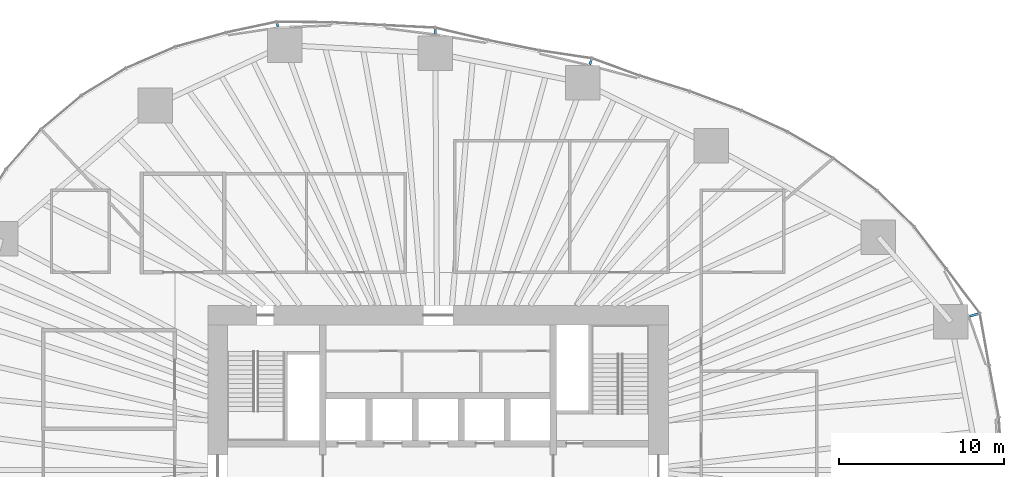
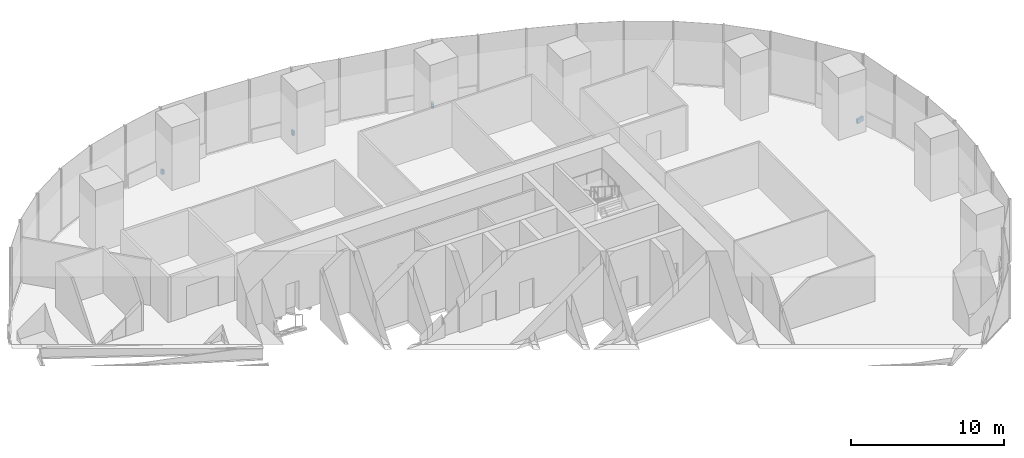
# One storey, part 15 of 20: 4 discrete accessories.
"""IFC4 building model written with IfcOpenShell, lengths in metres."""

from ifc_helpers import new_model, si_unit, direction, frame, origin, origin_2d, place, context, subcontext, project, spatial, rectangle, extrude, material, type_object, element, save


model = new_model("IFC4")

# Units and contexts
model_context = context("Model", 3, precision=1e-05, world=origin(), true_north=direction((0.0, 1.0)))
body_context = subcontext(model_context, "Body", "Model", "MODEL_VIEW")
ifc_project = project(units=[si_unit("LENGTHUNIT", "METRE"), si_unit("AREAUNIT", "SQUARE_METRE"), si_unit("VOLUMEUNIT", "CUBIC_METRE"), si_unit("PLANEANGLEUNIT", "RADIAN"), si_unit("MASSUNIT", "GRAM", prefix="KILO")], contexts=[model_context])

# Site, building, storey
site_placement = place(None, origin())
site = spatial("IfcSite", under=ifc_project, at=site_placement, CompositionType="ELEMENT")
building_placement = place(site_placement, origin())
building = spatial("IfcBuilding", under=site, at=building_placement, Name="Ghaith Harvest Tower", CompositionType="ELEMENT")
storey_placement = place(building_placement, frame((0.0, 0.0, 40.0)))
storey = spatial("IfcBuildingStorey", under=building, at=storey_placement, Name="L08", CompositionType="ELEMENT", Elevation=40.0)

# Discrete accessories
ifc_material_1 = material(Name="Stainless steel grade 1.4401", Category="steel")
discrete_accessory_type_1 = type_object("IfcDiscreteAccessoryType", Name="CURTAIN WALL BRACKET 205", PredefinedType="BRACKET", material=ifc_material_1)
discrete_accessory_1_placement = place(storey_placement, frame((-9.766845703125, 27.04150390625, -0.25), z_axis=(0.0, 0.0, 1.0), x_axis=(-0.339699453402, 0.94053404051, 0.0)))
element("IfcDiscreteAccessory", 1, at=discrete_accessory_1_placement, inside=storey, type_object=discrete_accessory_type_1, Name="CW-F bracket 1 bay 07 L08", PredefinedType="BRACKET", context=body_context, shape_type="SweptSolid", body=[
    extrude(rectangle(XDim=0.205078125, YDim=0.14990234375, at=origin_2d()), origin(), (0.0, 0.0, 1.0), 0.35009765625),
])
ifc_material_2 = material(Name="Stainless steel grade 1.4401", Category="steel")
discrete_accessory_type_2 = type_object("IfcDiscreteAccessoryType", Name="CURTAIN WALL BRACKET 255", PredefinedType="BRACKET", material=ifc_material_2)
discrete_accessory_2_placement = place(storey_placement, frame((-0.182373046875, 26.649658203125, -0.25), z_axis=(0.0, 0.0, 1.0), x_axis=(-0.006843747783, 0.999976581284, 0.0)))
element("IfcDiscreteAccessory", 2, at=discrete_accessory_2_placement, inside=storey, type_object=discrete_accessory_type_2, Name="CW-F bracket 1 bay 06 L08", PredefinedType="BRACKET", context=body_context, shape_type="SweptSolid", body=[
    extrude(rectangle(XDim=0.2548828125, YDim=0.14990234375, at=origin_2d()), origin(), (0.0, 0.0, 1.0), 0.35009765625),
])
ifc_material_3 = material(Name="Stainless steel grade 1.4401", Category="steel")
discrete_accessory_type_3 = type_object("IfcDiscreteAccessoryType", Name="CURTAIN WALL BRACKET 295", PredefinedType="BRACKET", material=ifc_material_3)
discrete_accessory_3_placement = place(storey_placement, frame((9.265380859375, 24.7841796875, -0.25), z_axis=(0.0, 0.0, 1.0), x_axis=(0.35016769709, 0.936687025593, 0.0)))
element("IfcDiscreteAccessory", 3, at=discrete_accessory_3_placement, inside=storey, type_object=discrete_accessory_type_3, Name="CW-F bracket 1 bay 05 L08", PredefinedType="BRACKET", context=body_context, shape_type="SweptSolid", body=[
    extrude(rectangle(XDim=0.294921875, YDim=0.14990234375, at=origin_2d()), origin(), (0.0, 0.0, 1.0), 0.35009765625),
])
ifc_material_4 = material(Name="Stainless steel grade 1.4401", Category="steel")
discrete_accessory_type_4 = type_object("IfcDiscreteAccessoryType", Name="CURTAIN WALL BRACKET 535", PredefinedType="BRACKET", material=ifc_material_4)
discrete_accessory_4_placement = place(storey_placement, frame((32.570556640625, 9.41357421875, -0.25), z_axis=(0.0, 0.0, 1.0), x_axis=(0.960680349985, 0.277656739792, 0.0)))
element("IfcDiscreteAccessory", 4, at=discrete_accessory_4_placement, inside=storey, type_object=discrete_accessory_type_4, Name="CW-F bracket 1 bay 02 L08", PredefinedType="BRACKET", context=body_context, shape_type="SweptSolid", body=[
    extrude(rectangle(XDim=0.534912109375, YDim=0.14990234375, at=origin_2d()), origin(), (0.0, 0.0, 1.0), 0.35009765625),
])

save(model, "model.ifc")
